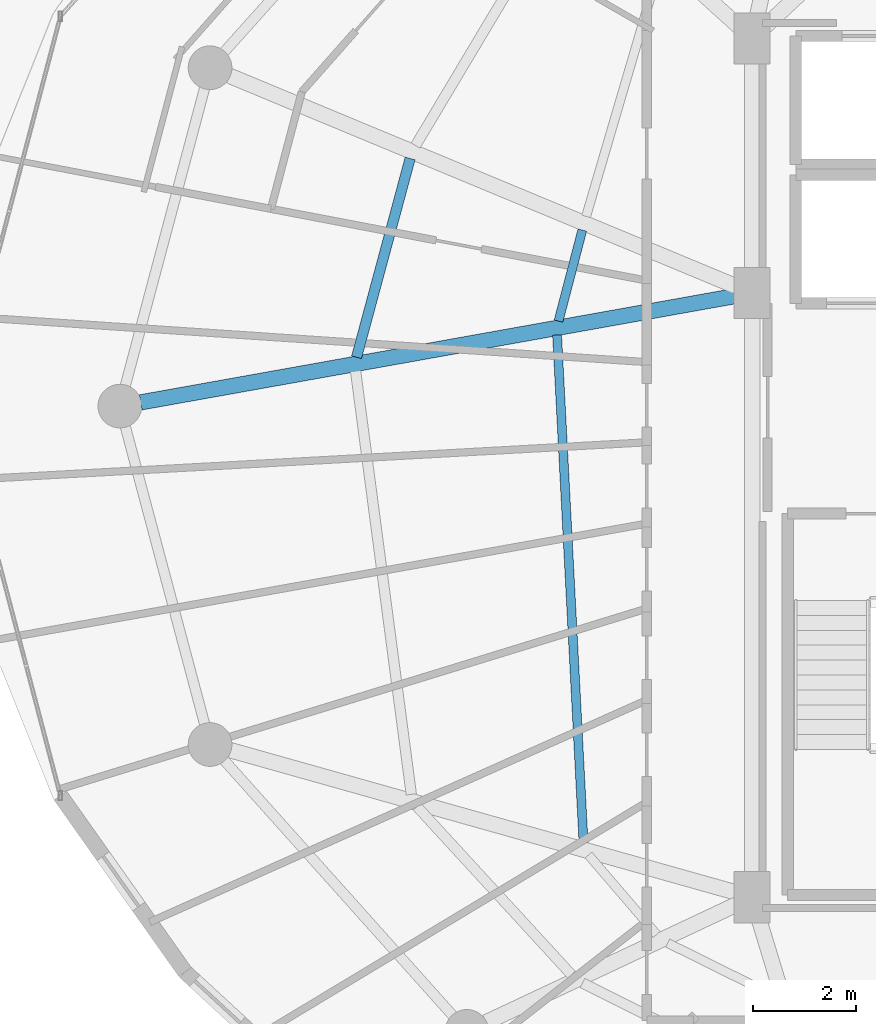
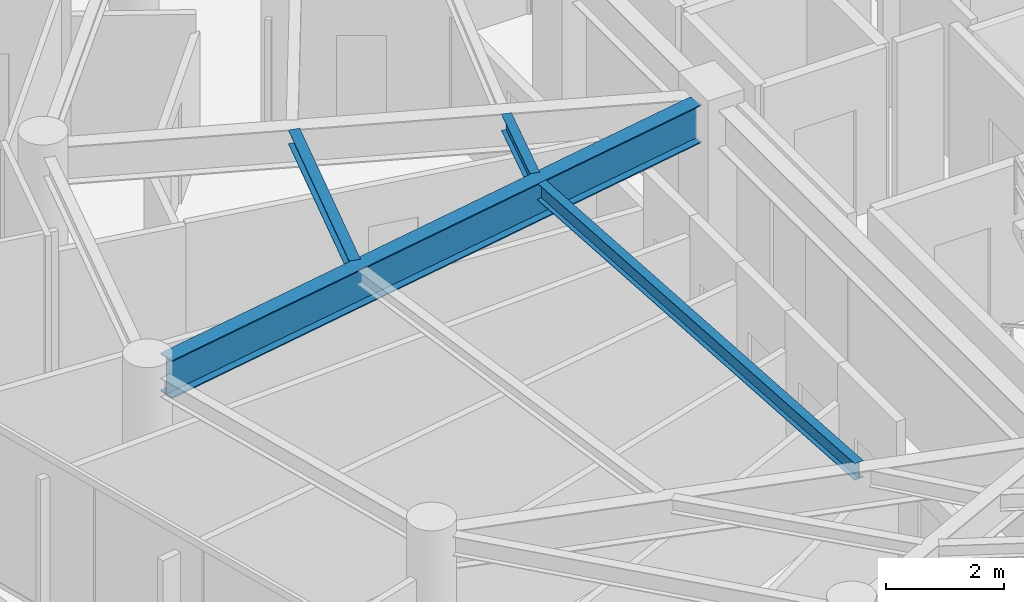
# One storey, part 7 of 29: 4 beams.
"""IFC4 building model written with IfcOpenShell, lengths in metres."""

from ifc_helpers import new_model, si_unit, direction, frame, origin, origin_2d, place, context, subcontext, project, spatial, i_section, extrude, material, material_profile, profile_set, type_object, element, save


model = new_model("IFC4")

# Units and contexts
model_context = context("Model", 3, precision=1e-05, world=origin(), true_north=direction((0.0, 1.0)))
body_context = subcontext(model_context, "Body", "Model", "MODEL_VIEW")
ifc_project = project(units=[si_unit("LENGTHUNIT", "METRE"), si_unit("AREAUNIT", "SQUARE_METRE"), si_unit("VOLUMEUNIT", "CUBIC_METRE"), si_unit("PLANEANGLEUNIT", "RADIAN"), si_unit("MASSUNIT", "GRAM", prefix="KILO")], contexts=[model_context])

# Site, building, storey
site_placement = place(None, origin())
site = spatial("IfcSite", under=ifc_project, at=site_placement, CompositionType="ELEMENT")
building_placement = place(site_placement, origin())
building = spatial("IfcBuilding", under=site, at=building_placement, Name="Vorneva Point Tower", CompositionType="ELEMENT")
storey_placement = place(building_placement, frame((0.0, 0.0, 273.300048828125)))
storey = spatial("IfcBuildingStorey", under=building, at=storey_placement, Name="L74", CompositionType="ELEMENT", Elevation=273.300048828125)

# Beams
ifc_material = material(Name="Steel S355", Category="steel")
ifc_material_profile_1 = material_profile(ifc_material, i_section(OverallWidth=0.300048828125, OverallDepth=0.7880859375, WebThickness=0.014404296875, FlangeThickness=0.02197265625, at=origin_2d()), Name="80Sh1")
ifc_profile_set_1 = profile_set([ifc_material_profile_1], Name="Steel S355")
beam_type_1 = type_object("IfcBeamType", Name="BM-GRD-80Sh1", PredefinedType="USERDEFINED", material=ifc_profile_set_1)
beam_1_placement = place(storey_placement, frame((15.3564453125, 26.07275390625, 2.89599609375), z_axis=(0.9843788355, 0.17606336422, 0.0), x_axis=(-0.17606336422, 0.9843788355, 0.0)))
element("IfcBeam", 1, at=beam_1_placement, inside=storey, type_object=beam_type_1, Name="L74 Radial Primary Girder 09", ObjectType="GIRDER", PredefinedType="USERDEFINED", context=body_context, shape_type="SweptSolid", body=[
    extrude(i_section(OverallWidth=0.300048828125, OverallDepth=0.7880859375, WebThickness=0.014404296875, FlangeThickness=0.02197265625, at=origin_2d()), origin(), (0.0, 0.0, 1.0), 11.7421875),
])
ifc_material_profile_2 = material_profile(ifc_material, i_section(OverallWidth=0.199951171875, OverallDepth=0.291015625, WebThickness=0.008056640625, FlangeThickness=0.010986328125, at=origin_2d()), Name="30Sh1")
ifc_profile_set_2 = profile_set([ifc_material_profile_2], Name="Steel S355")
beam_type_2 = type_object("IfcBeamType", Name="BM-SEC-30Sh1", PredefinedType="BEAM", material=ifc_profile_set_2)
beam_2_placement = place(storey_placement, frame((20.59619140625, 30.81689453125, 3.14453125), z_axis=(-0.260310139159, -0.965525054802, 0.0), x_axis=(0.965525054802, -0.260310139159, 0.0)))
element("IfcBeam", 2, at=beam_2_placement, inside=storey, type_object=beam_type_2, Name="L74 Secondary Floor Beam 1.08", PredefinedType="BEAM", context=body_context, shape_type="SweptSolid", body=[
    extrude(i_section(OverallWidth=0.199951171875, OverallDepth=0.291015625, WebThickness=0.008056640625, FlangeThickness=0.010986328125, at=origin_2d()), origin(), (0.0, 0.0, 1.0), 4.0048828125),
])
ifc_material_profile_3 = material_profile(ifc_material, i_section(OverallWidth=0.174072265625, OverallDepth=0.345947265625, WebThickness=0.006103515625, FlangeThickness=0.009033203125, at=origin_2d()), Name="35B1")
ifc_profile_set_3 = profile_set([ifc_material_profile_3], Name="Steel S355")
beam_type_3 = type_object("IfcBeamType", Name="BM-SEC-35B1", PredefinedType="BEAM", material=ifc_profile_set_3)
beam_3_placement = place(storey_placement, frame((23.946044921875, 29.425048828125, 3.116943359375), z_axis=(-0.253029664065, -0.967458520611, 0.0), x_axis=(0.967458520611, -0.253029664065, 0.0)))
element("IfcBeam", 3, at=beam_3_placement, inside=storey, type_object=beam_type_3, Name="L74 Secondary Floor Beam 2.08", PredefinedType="BEAM", context=body_context, shape_type="SweptSolid", body=[
    extrude(i_section(OverallWidth=0.174072265625, OverallDepth=0.345947265625, WebThickness=0.006103515625, FlangeThickness=0.009033203125, at=origin_2d()), origin(), (0.0, 0.0, 1.0), 1.831298828125),
])
beam_4_placement = place(storey_placement, frame((23.454833984375, 27.382080078125, 3.116943359375), z_axis=(0.052055932544, -0.998644170807, 0.0), x_axis=(0.998644170807, 0.052055932544, 0.0)))
element("IfcBeam", 4, at=beam_4_placement, inside=storey, type_object=beam_type_3, Name="L74 Secondary Floor Beam 2.09", PredefinedType="BEAM", context=body_context, shape_type="SweptSolid", body=[
    extrude(i_section(OverallWidth=0.174072265625, OverallDepth=0.345947265625, WebThickness=0.006103515625, FlangeThickness=0.009033203125, at=origin_2d()), origin(), (0.0, 0.0, 1.0), 9.886474609375),
])

save(model, "model.ifc")
